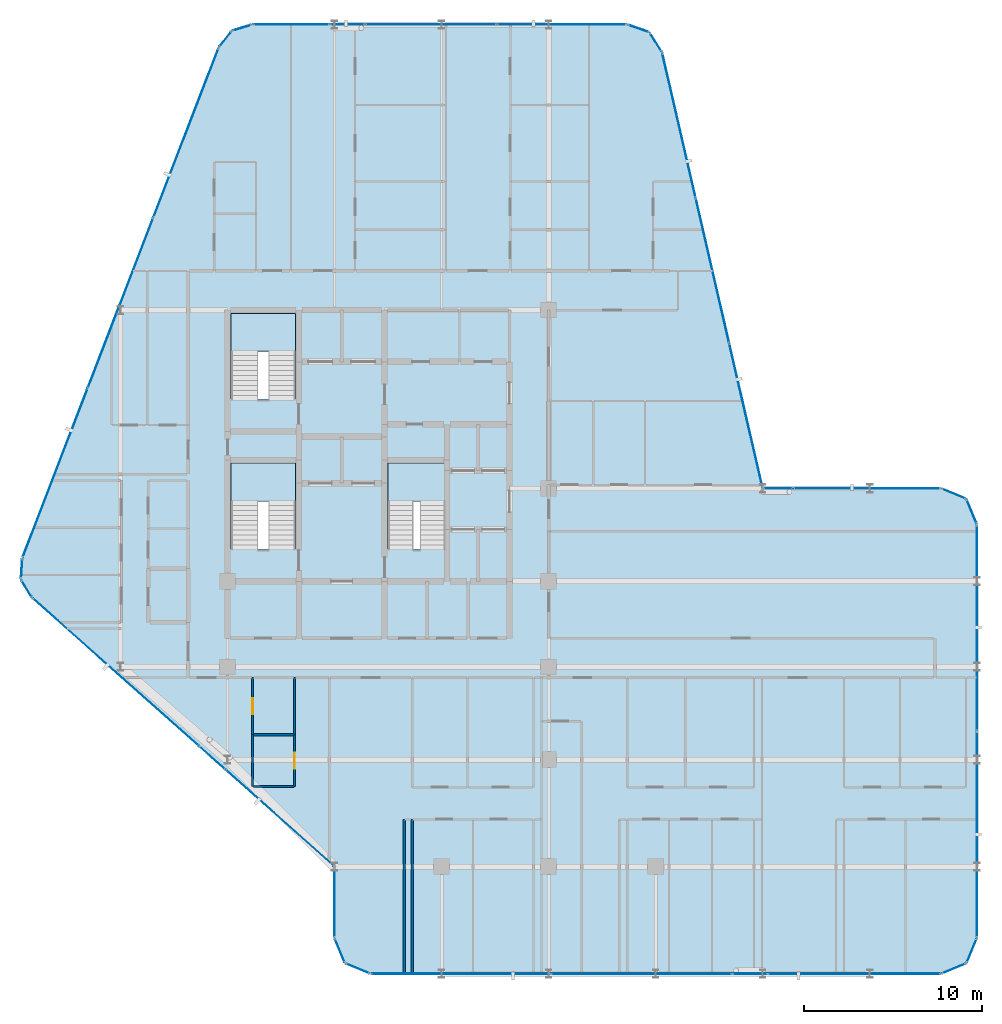
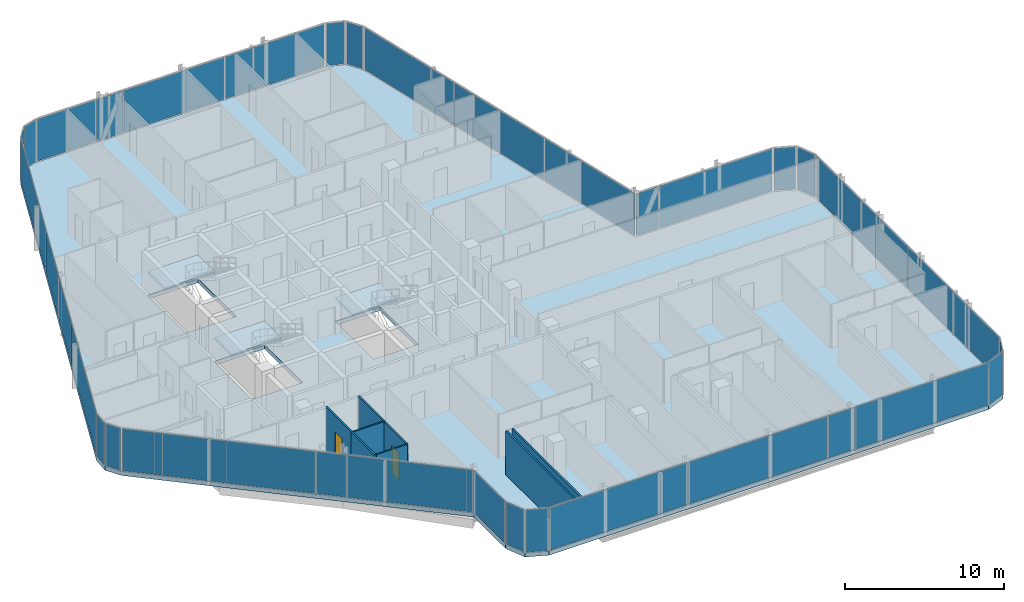
# One storey, part 22 of 29: 34 plates, 8 walls, 4 slabs, 2 doors, 2 openings, 30 elements without a shape of their own.
"""IFC4 building model written with IfcOpenShell, lengths in metres."""

from ifc_helpers import new_model, si_unit, direction, frame, frame_2d, origin, origin_2d, place, context, subcontext, project, spatial, polyline, rectangle, outline, extrude, material, layer, layer_set, type_object, element, fill, aggregate, save


model = new_model("IFC4")

# Units and contexts
model_context = context("Model", 3, precision=1e-05, world=origin(), true_north=direction((0.0, 1.0)))
body_context = subcontext(model_context, "Body", "Model", "MODEL_VIEW")
ifc_project = project(units=[si_unit("LENGTHUNIT", "METRE"), si_unit("AREAUNIT", "SQUARE_METRE"), si_unit("VOLUMEUNIT", "CUBIC_METRE"), si_unit("PLANEANGLEUNIT", "RADIAN"), si_unit("MASSUNIT", "GRAM", prefix="KILO")], contexts=[model_context])

# Site, building, storey
site_placement = place(None, origin())
site = spatial("IfcSite", under=ifc_project, at=site_placement, CompositionType="ELEMENT")
building_placement = place(site_placement, origin())
building = spatial("IfcBuilding", under=site, at=building_placement, Name="Keshet Zoharim Tower", CompositionType="ELEMENT")
storey_placement = place(building_placement, frame((0.0, 0.0, 180.199951171875)))
storey = spatial("IfcBuildingStorey", under=building, at=storey_placement, Name="L44", CompositionType="ELEMENT", Elevation=180.199951171875)

# Curtain wall, plate
ifc_material_1 = material(Name="Aluminium 6063-T6", Category="aluminium")
ifc_layer_1 = layer(ifc_material_1, 0.139892578125)
ifc_layer_set_1 = layer_set([ifc_layer_1], Name="Aluminium 6063-T6")
curtain_wall_type = type_object("IfcCurtainWallType", Name="CW-SYS-05", PredefinedType="NOTDEFINED", material=ifc_layer_set_1)
curtain_wall_1_placement = place(storey_placement, origin())
curtain_wall_1 = element("IfcCurtainWall", 1, at=curtain_wall_1_placement, inside=storey, type_object=curtain_wall_type, Name="L44 Unitised Curtain Wall 01", PredefinedType="NOTDEFINED")
ifc_material_2 = material(Name="Insulated Low-E Clear Glass", Category="glass")
ifc_layer_2 = layer(ifc_material_2, 0.031982421875)
ifc_layer_set_2 = layer_set([ifc_layer_2], Name="Insulated Low-E Clear Glass")
plate_type_1 = type_object("IfcPlateType", Name="CWP-02", PredefinedType="CURTAIN_PANEL", material=ifc_layer_set_2)
plate_1_placement = place(storey_placement, frame((55.70703125, 27.60693359375, 0.06982421875), z_axis=(0.0, 0.0, 1.0), x_axis=(0.92380975372, -0.382851849847, 0.0)))
plate_1 = element("IfcPlate", 2, at=plate_1_placement, type_object=plate_type_1, Name="CW-05 panel 1.1", PredefinedType="CURTAIN_PANEL", context=body_context, shape_type="SweptSolid", body=[
    extrude(rectangle(XDim=1.390625, YDim=0.031982421875, at=origin_2d()), origin(), (0.0, 0.0, 1.0), 3.239990234375),
])
aggregate(curtain_wall_1, [plate_1])

curtain_wall_2_placement = place(storey_placement, origin())
curtain_wall_2 = element("IfcCurtainWall", 3, at=curtain_wall_2_placement, inside=storey, type_object=curtain_wall_type, Name="L44 Unitised Curtain Wall 02", PredefinedType="NOTDEFINED")
plate_2_placement = place(storey_placement, frame((56.70703125, 26.60693359375, 0.06982421875), z_axis=(0.0, 0.0, 1.0), x_axis=(0.382851849847, -0.92380975372, 0.0)))
plate_2 = element("IfcPlate", 4, at=plate_2_placement, type_object=plate_type_1, Name="CW-05 panel 1.1", PredefinedType="CURTAIN_PANEL", context=body_context, shape_type="SweptSolid", body=[
    extrude(rectangle(XDim=1.390625, YDim=0.031982421875, at=origin_2d()), origin(), (0.0, 0.0, 1.0), 3.239990234375),
])
aggregate(curtain_wall_2, [plate_2])

# Curtain wall, plates
curtain_wall_3_placement = place(storey_placement, origin())
curtain_wall_3 = element("IfcCurtainWall", 5, at=curtain_wall_3_placement, inside=storey, type_object=curtain_wall_type, Name="L44 Unitised Curtain Wall 03", PredefinedType="NOTDEFINED")
plate_3_placement = place(storey_placement, frame((57.0, 20.08251953125, 0.06982421875), z_axis=(0.0, 0.0, 1.0), x_axis=(0.0, -1.0, 0.0)))
plate_3 = element("IfcPlate", 6, at=plate_3_placement, type_object=plate_type_1, Name="CW-05 panel 1.1", PredefinedType="CURTAIN_PANEL", context=body_context, shape_type="SweptSolid", body=[
    extrude(rectangle(XDim=11.4951171875, YDim=0.031982421875, at=origin_2d()), origin(), (0.0, 0.0, 1.0), 3.239990234375),
])
plate_4_placement = place(storey_placement, frame((57.0, 8.517578125, 0.06982421875), z_axis=(0.0, 0.0, 1.0), x_axis=(0.0, -1.0, 0.0)))
plate_4 = element("IfcPlate", 7, at=plate_4_placement, type_object=plate_type_1, Name="CW-05 panel 2.1", PredefinedType="CURTAIN_PANEL", context=body_context, shape_type="SweptSolid", body=[
    extrude(rectangle(XDim=11.4951171875, YDim=0.031982421875, at=origin_2d()), origin(), (0.0, 0.0, 1.0), 3.239990234375),
])
aggregate(curtain_wall_3, [plate_3, plate_4])

# Curtain wall, plate
curtain_wall_4_placement = place(storey_placement, origin())
curtain_wall_4 = element("IfcCurtainWall", 8, at=curtain_wall_4_placement, inside=storey, type_object=curtain_wall_type, Name="L44 Unitised Curtain Wall 04", PredefinedType="NOTDEFINED")
plate_5_placement = place(storey_placement, frame((56.70703125, 1.992919921875, 0.06982421875), z_axis=(0.0, 0.0, 1.0), x_axis=(-0.382851849847, -0.92380975372, 0.0)))
plate_5 = element("IfcPlate", 9, at=plate_5_placement, type_object=plate_type_1, Name="CW-05 panel 1.1", PredefinedType="CURTAIN_PANEL", context=body_context, shape_type="SweptSolid", body=[
    extrude(rectangle(XDim=1.390625, YDim=0.031982421875, at=origin_2d()), origin(), (0.0, 0.0, 1.0), 3.239990234375),
])
aggregate(curtain_wall_4, [plate_5])

curtain_wall_5_placement = place(storey_placement, origin())
curtain_wall_5 = element("IfcCurtainWall", 10, at=curtain_wall_5_placement, inside=storey, type_object=curtain_wall_type, Name="L44 Unitised Curtain Wall 05", PredefinedType="NOTDEFINED")
plate_6_placement = place(storey_placement, frame((55.70703125, 0.992919921875, 0.06982421875), z_axis=(0.0, 0.0, 1.0), x_axis=(-0.92380975372, -0.382851849847, 0.0)))
plate_6 = element("IfcPlate", 11, at=plate_6_placement, type_object=plate_type_1, Name="CW-05 panel 1.1", PredefinedType="CURTAIN_PANEL", context=body_context, shape_type="SweptSolid", body=[
    extrude(rectangle(XDim=1.390625, YDim=0.031982421875, at=origin_2d()), origin(), (0.0, 0.0, 1.0), 3.239990234375),
])
aggregate(curtain_wall_5, [plate_6])

curtain_wall_6_placement = place(storey_placement, origin())
curtain_wall_6 = element("IfcCurtainWall", 12, at=curtain_wall_6_placement, inside=storey, type_object=curtain_wall_type, Name="L44 Unitised Curtain Wall 06", PredefinedType="NOTDEFINED")
plate_7_placement = place(storey_placement, frame((50.1240234375, 0.699951171875, 0.06982421875), z_axis=(0.0, 0.0, 1.0), x_axis=(-1.0, 0.0, 0.0)))
plate_7 = element("IfcPlate", 13, at=plate_7_placement, type_object=plate_type_1, Name="CW-05 panel 1.1", PredefinedType="CURTAIN_PANEL", context=body_context, shape_type="SweptSolid", body=[
    extrude(rectangle(XDim=9.612060546875, YDim=0.031982421875, at=origin_2d()), origin(), (0.0, 0.0, 1.0), 3.239990234375),
])
aggregate(curtain_wall_6, [plate_7])

# Curtain wall, plates
curtain_wall_7_placement = place(storey_placement, origin())
curtain_wall_7 = element("IfcCurtainWall", 14, at=curtain_wall_7_placement, inside=storey, type_object=curtain_wall_type, Name="L44 Unitised Curtain Wall 06 Part 3", PredefinedType="NOTDEFINED")
plate_8_placement = place(storey_placement, frame((38.20654296875, 0.699951171875, 0.06982421875), z_axis=(0.0, 0.0, 1.0), x_axis=(-1.0, 0.0, 0.0)))
plate_8 = element("IfcPlate", 15, at=plate_8_placement, type_object=plate_type_1, Name="CW-05 panel 1.1", PredefinedType="CURTAIN_PANEL", context=body_context, shape_type="SweptSolid", body=[
    extrude(rectangle(XDim=10.091064453125, YDim=0.031982421875, at=origin_2d()), origin(), (0.0, 0.0, 1.0), 3.239990234375),
])
plate_9_placement = place(storey_placement, frame((28.08056640625, 0.699951171875, 0.06982421875), z_axis=(0.0, 0.0, 1.0), x_axis=(-1.0, 0.0, 0.0)))
plate_9 = element("IfcPlate", 16, at=plate_9_placement, type_object=plate_type_1, Name="CW-05 panel 2.1", PredefinedType="CURTAIN_PANEL", context=body_context, shape_type="SweptSolid", body=[
    extrude(rectangle(XDim=10.02099609375, YDim=0.031982421875, at=origin_2d()), origin(), (0.0, 0.0, 1.0), 3.239990234375),
])
aggregate(curtain_wall_7, [plate_8, plate_9])

# Curtain wall, plate
curtain_wall_8_placement = place(storey_placement, origin())
curtain_wall_8 = element("IfcCurtainWall", 17, at=curtain_wall_8_placement, inside=storey, type_object=curtain_wall_type, Name="L44 Unitised Curtain Wall 07", PredefinedType="NOTDEFINED")
plate_10_placement = place(storey_placement, frame((22.29296875, 0.992919921875, 0.06982421875), z_axis=(0.0, 0.0, 1.0), x_axis=(-0.92380975372, 0.382851849847, 0.0)))
plate_10 = element("IfcPlate", 18, at=plate_10_placement, type_object=plate_type_1, Name="CW-05 panel 1.1", PredefinedType="CURTAIN_PANEL", context=body_context, shape_type="SweptSolid", body=[
    extrude(rectangle(XDim=1.390625, YDim=0.031982421875, at=origin_2d()), origin(), (0.0, 0.0, 1.0), 3.239990234375),
])
aggregate(curtain_wall_8, [plate_10])

curtain_wall_9_placement = place(storey_placement, origin())
curtain_wall_9 = element("IfcCurtainWall", 19, at=curtain_wall_9_placement, inside=storey, type_object=curtain_wall_type, Name="L44 Unitised Curtain Wall 08", PredefinedType="NOTDEFINED")
plate_11_placement = place(storey_placement, frame((21.29296875, 1.992919921875, 0.06982421875), z_axis=(0.0, 0.0, 1.0), x_axis=(-0.382851849847, 0.92380975372, 0.0)))
plate_11 = element("IfcPlate", 20, at=plate_11_placement, type_object=plate_type_1, Name="CW-05 panel 1.1", PredefinedType="CURTAIN_PANEL", context=body_context, shape_type="SweptSolid", body=[
    extrude(rectangle(XDim=1.390625, YDim=0.031982421875, at=origin_2d()), origin(), (0.0, 0.0, 1.0), 3.239990234375),
])
aggregate(curtain_wall_9, [plate_11])

curtain_wall_10_placement = place(storey_placement, origin())
curtain_wall_10 = element("IfcCurtainWall", 21, at=curtain_wall_10_placement, inside=storey, type_object=curtain_wall_type, Name="L44 Unitised Curtain Wall 09", PredefinedType="NOTDEFINED")
plate_12_placement = place(storey_placement, frame((21.0, 4.699951171875, 0.06982421875), z_axis=(0.0, 0.0, 1.0), x_axis=(0.0, 1.0, 0.0)))
plate_12 = element("IfcPlate", 22, at=plate_12_placement, type_object=plate_type_1, Name="CW-05 panel 1.1", PredefinedType="CURTAIN_PANEL", context=body_context, shape_type="SweptSolid", body=[
    extrude(rectangle(XDim=3.860107421875, YDim=0.031982421875, at=origin_2d()), origin(), (0.0, 0.0, 1.0), 3.239990234375),
])
aggregate(curtain_wall_10, [plate_12])

curtain_wall_11_placement = place(storey_placement, origin())
curtain_wall_11 = element("IfcCurtainWall", 23, at=curtain_wall_11_placement, inside=storey, type_object=curtain_wall_type, Name="L44 Unitised Curtain Wall 10", PredefinedType="NOTDEFINED")
plate_13_placement = place(storey_placement, frame((17.927001953125, 9.431396484375, 0.06982421875), z_axis=(0.0, 0.0, 1.0), x_axis=(-0.747411331591, 0.664361574302, 0.0)))
plate_13 = element("IfcPlate", 24, at=plate_13_placement, type_object=plate_type_1, Name="CW-05 panel 1.1", PredefinedType="CURTAIN_PANEL", context=body_context, shape_type="SweptSolid", body=[
    extrude(rectangle(XDim=8.082763671875, YDim=0.031982421875, at=origin_2d()), origin(), (0.0, 0.0, 1.0), 3.239990234375),
])
aggregate(curtain_wall_11, [plate_13])

curtain_wall_12_placement = place(storey_placement, origin())
curtain_wall_12 = element("IfcCurtainWall", 25, at=curtain_wall_12_placement, inside=storey, type_object=curtain_wall_type, Name="L44 Unitised Curtain Wall 10 Part 3", PredefinedType="NOTDEFINED")
plate_14_placement = place(storey_placement, frame((8.724853515625, 17.611328125, 0.06982421875), z_axis=(0.0, 0.0, 1.0), x_axis=(-0.74741020288, 0.664362844107, 0.0)))
plate_14 = element("IfcPlate", 26, at=plate_14_placement, type_object=plate_type_1, Name="CW-05 panel 1.1", PredefinedType="CURTAIN_PANEL", context=body_context, shape_type="SweptSolid", body=[
    extrude(rectangle(XDim=12.40966796875, YDim=0.031982421875, at=origin_2d()), origin(), (0.0, 0.0, 1.0), 3.239990234375),
])
aggregate(curtain_wall_12, [plate_14])

curtain_wall_13_placement = place(storey_placement, origin())
curtain_wall_13 = element("IfcCurtainWall", 27, at=curtain_wall_13_placement, inside=storey, type_object=curtain_wall_type, Name="L44 Unitised Curtain Wall 11", PredefinedType="NOTDEFINED")
plate_15_placement = place(storey_placement, frame((3.7275390625, 22.291015625, 0.06982421875), z_axis=(0.0, 0.0, 1.0), x_axis=(-0.515604947933, 0.856826433805, 0.0)))
plate_15 = element("IfcPlate", 28, at=plate_15_placement, type_object=plate_type_1, Name="CW-05 panel 1.1", PredefinedType="CURTAIN_PANEL", context=body_context, shape_type="SweptSolid", body=[
    extrude(rectangle(XDim=1.052734375, YDim=0.031982421875, at=origin_2d()), origin(), (0.0, 0.0, 1.0), 3.239990234375),
])
aggregate(curtain_wall_13, [plate_15])

curtain_wall_14_placement = place(storey_placement, origin())
curtain_wall_14 = element("IfcCurtainWall", 29, at=curtain_wall_14_placement, inside=storey, type_object=curtain_wall_type, Name="L44 Unitised Curtain Wall 12", PredefinedType="NOTDEFINED")
plate_16_placement = place(storey_placement, frame((3.45849609375, 23.3974609375, 0.06982421875), z_axis=(0.0, 0.0, 1.0), x_axis=(0.064516859374, 0.997916617186, 0.0)))
plate_16 = element("IfcPlate", 30, at=plate_16_placement, type_object=plate_type_1, Name="CW-05 panel 1.1", PredefinedType="CURTAIN_PANEL", context=body_context, shape_type="SweptSolid", body=[
    extrude(rectangle(XDim=1.053466796875, YDim=0.031982421875, at=origin_2d()), origin(), (0.0, 0.0, 1.0), 3.239990234375),
])
aggregate(curtain_wall_14, [plate_16])

# Curtain wall, plates
curtain_wall_15_placement = place(storey_placement, origin())
curtain_wall_15 = element("IfcCurtainWall", 31, at=curtain_wall_15_placement, inside=storey, type_object=curtain_wall_type, Name="L44 Unitised Curtain Wall 13", PredefinedType="NOTDEFINED")
plate_17_placement = place(storey_placement, frame((5.33837890625, 28.7802734375, 0.06982421875), z_axis=(0.0, 0.0, 1.0), x_axis=(0.358990003907, 0.933341404361, 0.0)))
plate_17 = element("IfcPlate", 32, at=plate_17_placement, type_object=plate_type_1, Name="CW-05 panel 1.1", PredefinedType="CURTAIN_PANEL", context=body_context, shape_type="SweptSolid", body=[
    extrude(rectangle(XDim=10.1181640625, YDim=0.031982421875, at=origin_2d()), origin(), (0.0, 0.0, 1.0), 3.239990234375),
])
plate_18_placement = place(storey_placement, frame((9.001953125, 38.305419921875, 0.06982421875), z_axis=(0.0, 0.0, 1.0), x_axis=(0.358990003907, 0.933341404361, 0.0)))
plate_18 = element("IfcPlate", 33, at=plate_18_placement, type_object=plate_type_1, Name="CW-05 panel 2.1", PredefinedType="CURTAIN_PANEL", context=body_context, shape_type="SweptSolid", body=[
    extrude(rectangle(XDim=10.153076171875, YDim=0.031982421875, at=origin_2d()), origin(), (0.0, 0.0, 1.0), 3.239990234375),
])
plate_19_placement = place(storey_placement, frame((12.665771484375, 47.830810546875, 0.06982421875), z_axis=(0.0, 0.0, 1.0), x_axis=(0.358990003907, 0.933341404361, 0.0)))
plate_19 = element("IfcPlate", 34, at=plate_19_placement, type_object=plate_type_1, Name="CW-05 panel 3.1", PredefinedType="CURTAIN_PANEL", context=body_context, shape_type="SweptSolid", body=[
    extrude(rectangle(XDim=10.1181640625, YDim=0.031982421875, at=origin_2d()), origin(), (0.0, 0.0, 1.0), 3.239990234375),
])
aggregate(curtain_wall_15, [plate_17, plate_18, plate_19])

# Curtain wall, plate
curtain_wall_16_placement = place(storey_placement, origin())
curtain_wall_16 = element("IfcCurtainWall", 35, at=curtain_wall_16_placement, inside=storey, type_object=curtain_wall_type, Name="L44 Unitised Curtain Wall 14", PredefinedType="NOTDEFINED")
plate_20_placement = place(storey_placement, frame((14.8740234375, 53.08349609375, 0.06982421875), z_axis=(0.0, 0.0, 1.0), x_axis=(0.619124525989, 0.785292825205, 0.0)))
plate_20 = element("IfcPlate", 36, at=plate_20_placement, type_object=plate_type_1, Name="CW-05 panel 1.1", PredefinedType="CURTAIN_PANEL", context=body_context, shape_type="SweptSolid", body=[
    extrude(rectangle(XDim=1.045654296875, YDim=0.031982421875, at=origin_2d()), origin(), (0.0, 0.0, 1.0), 3.239990234375),
])
aggregate(curtain_wall_16, [plate_20])

curtain_wall_17_placement = place(storey_placement, origin())
curtain_wall_17 = element("IfcCurtainWall", 37, at=curtain_wall_17_placement, inside=storey, type_object=curtain_wall_type, Name="L44 Unitised Curtain Wall 15", PredefinedType="NOTDEFINED")
plate_21_placement = place(storey_placement, frame((15.8076171875, 53.724609375, 0.06982421875), z_axis=(0.0, 0.0, 1.0), x_axis=(0.955212151288, 0.295921857984, 0.0)))
plate_21 = element("IfcPlate", 38, at=plate_21_placement, type_object=plate_type_1, Name="CW-05 panel 1.1", PredefinedType="CURTAIN_PANEL", context=body_context, shape_type="SweptSolid", body=[
    extrude(rectangle(XDim=1.046142578125, YDim=0.031982421875, at=origin_2d()), origin(), (0.0, 0.0, 1.0), 3.239990234375),
])
aggregate(curtain_wall_17, [plate_21])

curtain_wall_18_placement = place(storey_placement, origin())
curtain_wall_18 = element("IfcCurtainWall", 39, at=curtain_wall_18_placement, inside=storey, type_object=curtain_wall_type, Name="L44 Unitised Curtain Wall 16", PredefinedType="NOTDEFINED")
plate_22_placement = place(storey_placement, frame((18.56298828125, 53.89990234375, 0.06982421875), z_axis=(0.0, 0.0, 1.0), x_axis=(1.0, 0.0, 0.0)))
plate_22 = element("IfcPlate", 40, at=plate_22_placement, type_object=plate_type_1, Name="CW-05 panel 1.1", PredefinedType="CURTAIN_PANEL", context=body_context, shape_type="SweptSolid", body=[
    extrude(rectangle(XDim=4.238037109375, YDim=0.031982421875, at=origin_2d()), origin(), (0.0, 0.0, 1.0), 3.239990234375),
])
aggregate(curtain_wall_18, [plate_22])

# Curtain wall, plates
curtain_wall_19_placement = place(storey_placement, origin())
curtain_wall_19 = element("IfcCurtainWall", 41, at=curtain_wall_19_placement, inside=storey, type_object=curtain_wall_type, Name="L44 Unitised Curtain Wall 16 Part 3", PredefinedType="NOTDEFINED")
plate_23_placement = place(storey_placement, frame((26.395751953125, 53.89990234375, 0.06982421875), z_axis=(0.0, 0.0, 1.0), x_axis=(1.0, 0.0, 0.0)))
plate_23 = element("IfcPlate", 42, at=plate_23_placement, type_object=plate_type_1, Name="CW-05 panel 1.1", PredefinedType="CURTAIN_PANEL", context=body_context, shape_type="SweptSolid", body=[
    extrude(rectangle(XDim=7.29541015625, YDim=0.031982421875, at=origin_2d()), origin(), (0.0, 0.0, 1.0), 3.239990234375),
])
plate_24_placement = place(storey_placement, frame((33.726318359375, 53.89990234375, 0.06982421875), z_axis=(0.0, 0.0, 1.0), x_axis=(1.0, 0.0, 0.0)))
plate_24 = element("IfcPlate", 43, at=plate_24_placement, type_object=plate_type_1, Name="CW-05 panel 2.1", PredefinedType="CURTAIN_PANEL", context=body_context, shape_type="SweptSolid", body=[
    extrude(rectangle(XDim=7.2255859375, YDim=0.031982421875, at=origin_2d()), origin(), (0.0, 0.0, 1.0), 3.239990234375),
])
aggregate(curtain_wall_19, [plate_23, plate_24])

# Curtain wall, plate
curtain_wall_20_placement = place(storey_placement, origin())
curtain_wall_20 = element("IfcCurtainWall", 44, at=curtain_wall_20_placement, inside=storey, type_object=curtain_wall_type, Name="L44 Unitised Curtain Wall 17", PredefinedType="NOTDEFINED")
plate_25_placement = place(storey_placement, frame((38.031494140625, 53.6826171875, 0.06982421875), z_axis=(0.0, 0.0, 1.0), x_axis=(0.944035542119, -0.329843743636, 0.0)))
plate_25 = element("IfcPlate", 45, at=plate_25_placement, type_object=plate_type_1, Name="CW-05 panel 1.1", PredefinedType="CURTAIN_PANEL", context=body_context, shape_type="SweptSolid", body=[
    extrude(rectangle(XDim=1.1787109375, YDim=0.031982421875, at=origin_2d()), origin(), (0.0, 0.0, 1.0), 3.239990234375),
])
aggregate(curtain_wall_20, [plate_25])

curtain_wall_21_placement = place(storey_placement, origin())
curtain_wall_21 = element("IfcCurtainWall", 46, at=curtain_wall_21_placement, inside=storey, type_object=curtain_wall_type, Name="L44 Unitised Curtain Wall 18", PredefinedType="NOTDEFINED")
plate_26_placement = place(storey_placement, frame((39.006103515625, 52.907470703125, 0.06982421875), z_axis=(0.0, 0.0, 1.0), x_axis=(0.533878858502, -0.845560976183, 0.0)))
plate_26 = element("IfcPlate", 47, at=plate_26_placement, type_object=plate_type_1, Name="CW-05 panel 1.1", PredefinedType="CURTAIN_PANEL", context=body_context, shape_type="SweptSolid", body=[
    extrude(rectangle(XDim=1.1787109375, YDim=0.031982421875, at=origin_2d()), origin(), (0.0, 0.0, 1.0), 3.239990234375),
])
aggregate(curtain_wall_21, [plate_26])

# Curtain wall, plates
curtain_wall_22_placement = place(storey_placement, origin())
curtain_wall_22 = element("IfcCurtainWall", 48, at=curtain_wall_22_placement, inside=storey, type_object=curtain_wall_type, Name="L44 Unitised Curtain Wall 19", PredefinedType="NOTDEFINED")
plate_27_placement = place(storey_placement, frame((40.30224609375, 48.258056640625, 0.06982421875), z_axis=(0.0, 0.0, 1.0), x_axis=(0.224847864369, -0.974393882313, 0.0)))
plate_27 = element("IfcPlate", 49, at=plate_27_placement, type_object=plate_type_1, Name="CW-05 panel 1.1", PredefinedType="CURTAIN_PANEL", context=body_context, shape_type="SweptSolid", body=[
    extrude(rectangle(XDim=8.25927734375, YDim=0.031982421875, at=origin_2d()), origin(), (0.0, 0.0, 1.0), 3.239990234375),
])
plate_28_placement = place(storey_placement, frame((42.178955078125, 40.125, 0.06982421875), z_axis=(0.0, 0.0, 1.0), x_axis=(0.224847864369, -0.974393882313, 0.0)))
plate_28 = element("IfcPlate", 50, at=plate_28_placement, type_object=plate_type_1, Name="CW-05 panel 2.1", PredefinedType="CURTAIN_PANEL", context=body_context, shape_type="SweptSolid", body=[
    extrude(rectangle(XDim=8.294189453125, YDim=0.031982421875, at=origin_2d()), origin(), (0.0, 0.0, 1.0), 3.239990234375),
])
plate_29_placement = place(storey_placement, frame((44.0556640625, 31.991943359375, 0.06982421875), z_axis=(0.0, 0.0, 1.0), x_axis=(0.224847864369, -0.974393882313, 0.0)))
plate_29 = element("IfcPlate", 51, at=plate_29_placement, type_object=plate_type_1, Name="CW-05 panel 3.1", PredefinedType="CURTAIN_PANEL", context=body_context, shape_type="SweptSolid", body=[
    extrude(rectangle(XDim=8.25927734375, YDim=0.031982421875, at=origin_2d()), origin(), (0.0, 0.0, 1.0), 3.239990234375),
])
aggregate(curtain_wall_22, [plate_27, plate_28, plate_29])

# Curtain wall, plate
curtain_wall_23_placement = place(storey_placement, origin())
curtain_wall_23 = element("IfcCurtainWall", 52, at=curtain_wall_23_placement, inside=storey, type_object=curtain_wall_type, Name="L44 Unitised Curtain Wall 20 Part 2", PredefinedType="NOTDEFINED")
plate_30_placement = place(storey_placement, frame((50.839111328125, 27.89990234375, 0.06982421875), z_axis=(0.0, 0.0, 1.0), x_axis=(1.0, 0.0, 0.0)))
plate_30 = element("IfcPlate", 53, at=plate_30_placement, type_object=plate_type_1, Name="CW-05 panel 1.1", PredefinedType="CURTAIN_PANEL", context=body_context, shape_type="SweptSolid", body=[
    extrude(rectangle(XDim=8.181884765625, YDim=0.031982421875, at=origin_2d()), origin(), (0.0, 0.0, 1.0), 3.239990234375),
])
aggregate(curtain_wall_23, [plate_30])

curtain_wall_24_placement = place(storey_placement, origin())
curtain_wall_24 = element("IfcCurtainWall", 54, at=curtain_wall_24_placement, inside=storey, type_object=curtain_wall_type, Name="L44 Unitised Curtain Wall 06 Part 2", PredefinedType="NOTDEFINED")
ifc_material_3 = material(Name="Insulated Aluminium Spandrel Panel", Category="aluminium")
ifc_layer_3 = layer(ifc_material_3, 0.031982421875)
ifc_layer_set_3 = layer_set([ifc_layer_3], Name="Insulated Aluminium Spandrel Panel")
plate_type_2 = type_object("IfcPlateType", Name="CWP-05", PredefinedType="CURTAIN_PANEL", material=ifc_layer_set_3)
plate_31_placement = place(storey_placement, frame((44.284912109375, 0.699951171875, 0.06982421875), z_axis=(0.0, 0.0, 1.0), x_axis=(-1.0, 0.0, 0.0)))
plate_31 = element("IfcPlate", 55, at=plate_31_placement, type_object=plate_type_2, Name="CW-05 spandrel panel 1.1", PredefinedType="CURTAIN_PANEL", context=body_context, shape_type="SweptSolid", body=[
    extrude(rectangle(XDim=1.926025390625, YDim=0.031982421875, at=origin_2d()), origin(), (0.0, 0.0, 1.0), 3.239990234375),
])
aggregate(curtain_wall_24, [plate_31])

curtain_wall_25_placement = place(storey_placement, origin())
curtain_wall_25 = element("IfcCurtainWall", 56, at=curtain_wall_25_placement, inside=storey, type_object=curtain_wall_type, Name="L44 Unitised Curtain Wall 10 Part 2", PredefinedType="NOTDEFINED")
plate_32_placement = place(storey_placement, frame((14.134521484375, 12.802734375, 0.06982421875), z_axis=(0.0, 0.0, 1.0), x_axis=(-0.747395497769, 0.664379387033, 0.0)))
plate_32 = element("IfcPlate", 57, at=plate_32_placement, type_object=plate_type_2, Name="CW-05 spandrel panel 1.1", PredefinedType="CURTAIN_PANEL", context=body_context, shape_type="SweptSolid", body=[
    extrude(rectangle(XDim=1.926025390625, YDim=0.031982421875, at=origin_2d()), origin(), (0.0, 0.0, 1.0), 3.239990234375),
])
aggregate(curtain_wall_25, [plate_32])

curtain_wall_26_placement = place(storey_placement, origin())
curtain_wall_26 = element("IfcCurtainWall", 58, at=curtain_wall_26_placement, inside=storey, type_object=curtain_wall_type, Name="L44 Unitised Curtain Wall 16 Part 2", PredefinedType="NOTDEFINED")
plate_33_placement = place(storey_placement, frame((21.715087890625, 53.89990234375, 0.06982421875), z_axis=(0.0, 0.0, 1.0), x_axis=(1.0, 0.0, 0.0)))
plate_33 = element("IfcPlate", 59, at=plate_33_placement, type_object=plate_type_2, Name="CW-05 spandrel panel 1.1", PredefinedType="CURTAIN_PANEL", context=body_context, shape_type="SweptSolid", body=[
    extrude(rectangle(XDim=1.926025390625, YDim=0.031982421875, at=origin_2d()), origin(), (0.0, 0.0, 1.0), 3.239990234375),
])
aggregate(curtain_wall_26, [plate_33])

curtain_wall_27_placement = place(storey_placement, origin())
curtain_wall_27 = element("IfcCurtainWall", 60, at=curtain_wall_27_placement, inside=storey, type_object=curtain_wall_type, Name="L44 Unitised Curtain Wall 20", PredefinedType="NOTDEFINED")
plate_34_placement = place(storey_placement, frame((45.8740234375, 27.89990234375, 0.06982421875), z_axis=(0.0, 0.0, 1.0), x_axis=(1.0, 0.0, 0.0)))
plate_34 = element("IfcPlate", 61, at=plate_34_placement, type_object=plate_type_2, Name="CW-05 spandrel panel 1.1", PredefinedType="CURTAIN_PANEL", context=body_context, shape_type="SweptSolid", body=[
    extrude(rectangle(XDim=1.60791015625, YDim=0.031982421875, at=origin_2d()), origin(), (0.0, 0.0, 1.0), 3.239990234375),
])
aggregate(curtain_wall_27, [plate_34])

# Stair, slab
ifc_material_4 = material(Name="Concrete C50/60", Category="concrete")
stair_type = type_object("IfcStairType", Name="STR-EXIT-135", PredefinedType="HALF_TURN_STAIR", material=ifc_material_4)
stair_1_placement = place(storey_placement, origin())
stair_1 = element("IfcStair", 62, at=stair_1_placement, inside=storey, type_object=stair_type, Name="L44 Enclosed Exit Stair ST-01", PredefinedType="HALF_TURN_STAIR")
ifc_layer_4 = layer(ifc_material_4, 0.199951171875)
ifc_layer_set_4 = layer_set([ifc_layer_4], Name="Concrete C50/60")
slab_type_1 = type_object("IfcSlabType", Name="SLB-LND-200", PredefinedType="LANDING", material=ifc_layer_set_4)
slab_1_placement = place(storey_placement, frame((0.0, 0.0, 1.650146484375)))
slab_1 = element("IfcSlab", 63, at=slab_1_placement, type_object=slab_type_1, Name="ST-01 landing 1", PredefinedType="LANDING", context=body_context, shape_type="SweptSolid", body=[
    extrude(outline(polyline([(15.179931640625, 27.159912109375), (18.820068359375, 27.159912109375), (18.820068359375, 29.320068359375), (15.179931640625, 29.320068359375), (15.179931640625, 27.159912109375)])), origin(), (0.0, 0.0, 1.0), 0.199951171875),
])
aggregate(stair_1, [slab_1])

stair_2_placement = place(storey_placement, origin())
stair_2 = element("IfcStair", 64, at=stair_2_placement, inside=storey, type_object=stair_type, Name="L44 Enclosed Exit Stair ST-02", PredefinedType="HALF_TURN_STAIR")
slab_2_placement = place(storey_placement, frame((0.0, 0.0, 1.650146484375)))
slab_2 = element("IfcSlab", 65, at=slab_2_placement, type_object=slab_type_1, Name="ST-02 landing 1", PredefinedType="LANDING", context=body_context, shape_type="SweptSolid", body=[
    extrude(outline(polyline([(15.179931640625, 35.56005859375), (18.820068359375, 35.56005859375), (18.820068359375, 37.719970703125), (15.179931640625, 37.719970703125), (15.179931640625, 35.56005859375)])), origin(), (0.0, 0.0, 1.0), 0.199951171875),
])
aggregate(stair_2, [slab_2])

stair_3_placement = place(storey_placement, origin())
stair_3 = element("IfcStair", 66, at=stair_3_placement, inside=storey, type_object=stair_type, Name="L44 Enclosed Exit Stair ST-03", PredefinedType="HALF_TURN_STAIR")
slab_3_placement = place(storey_placement, frame((0.0, 0.0, 1.650146484375)))
slab_3 = element("IfcSlab", 67, at=slab_3_placement, type_object=slab_type_1, Name="ST-03 landing 1", PredefinedType="LANDING", context=body_context, shape_type="SweptSolid", body=[
    extrude(outline(polyline([(23.97998046875, 27.159912109375), (27.219970703125, 27.159912109375), (27.219970703125, 29.320068359375), (23.97998046875, 29.320068359375), (23.97998046875, 27.159912109375)])), origin(), (0.0, 0.0, 1.0), 0.199951171875),
])
aggregate(stair_3, [slab_3])

# Slab
ifc_layer_5 = layer(ifc_material_4, 0.31005859375)
ifc_layer_set_5 = layer_set([ifc_layer_5], Name="Concrete C50/60")
slab_type_2 = type_object("IfcSlabType", Name="SLB-UPP-240", PredefinedType="FLOOR", material=ifc_layer_set_5)
slab_4_placement = place(storey_placement, frame((0.0, 0.0, -0.31005859375)))
element("IfcSlab", 68, at=slab_4_placement, inside=storey, type_object=slab_type_2, Name="L44 Structural Floor Slab 1", PredefinedType="FLOOR", context=body_context, shape_type="SweptSolid", body=[
    extrude(outline(polyline([(55.0, 27.89990234375), (56.4140625, 27.31396484375), (57.0, 25.89990234375), (57.0, 2.699951171875), (56.4140625, 1.285888671875), (55.0, 0.699951171875), (23.0, 0.699951171875), (21.5859375, 1.285888671875), (21.0, 2.699951171875), (21.0, 6.699951171875), (4.034912109375, 21.780029296875), (3.419921875, 22.802001953125), (3.4970703125, 23.992919921875), (14.507080078125, 52.617919921875), (15.240966796875, 53.549072265625), (16.3740234375, 53.89990234375), (37.408935546875, 53.89990234375), (38.654052734375, 53.465087890625), (39.35791015625, 52.35009765625), (45.0, 27.89990234375), (55.0, 27.89990234375)]), holes=[polyline([(15.179931640625, 24.52001953125), (18.820068359375, 24.52001953125), (18.820068359375, 29.320068359375), (15.179931640625, 29.320068359375), (15.179931640625, 24.52001953125)]), polyline([(15.179931640625, 32.919921875), (18.820068359375, 32.919921875), (18.820068359375, 37.719970703125), (15.179931640625, 37.719970703125), (15.179931640625, 32.919921875)]), polyline([(23.97998046875, 24.52001953125), (27.219970703125, 24.52001953125), (27.219970703125, 29.320068359375), (23.97998046875, 29.320068359375), (23.97998046875, 24.52001953125)])]), origin(), (0.0, 0.0, 1.0), 0.31005859375),
])

# Wall, opening, door
ifc_material_5 = material(Name="Gypsum Plasterboard", Category="gypsum")
ifc_layer_6 = layer(ifc_material_5, 0.1201171875)
ifc_layer_set_6 = layer_set([ifc_layer_6], Name="Gypsum Plasterboard")
wall_type_1 = type_object("IfcWallType", Name="WL-PART-120", PredefinedType="PARTITIONING", material=ifc_layer_set_6)
wall_1_placement = place(storey_placement, frame((16.39990234375, 14.10009765625, 0.0), z_axis=(0.0, 0.0, 1.0), x_axis=(0.0, 1.0, 0.0)))
wall_1 = element("IfcWall", 69, at=wall_1_placement, inside=storey, type_object=wall_type_1, Name="L44 Interior Wall 020", PredefinedType="PARTITIONING", context=body_context, shape_type="SweptSolid", body=[
    extrude(rectangle(XDim=3.199951171875, YDim=0.1201171875, at=frame_2d((1.60009765625, 0.0))), origin(), (0.0, 0.0, 1.0), 3.380126953125),
])
opening_1_placement = place(wall_1_placement, frame((1.14990234375, 0.0, 0.0)))
opening_1 = element("IfcOpeningElement", 70, at=opening_1_placement, cuts=wall_1, Name="Opening D-IN90", PredefinedType="OPENING", context=body_context, shape_type="SweptSolid", body=[
    extrude(rectangle(XDim=0.89990234375, YDim=2.14990234375, at=frame_2d((0.449951171875, 1.074951171875))), frame((0.0, 0.070068359375, 0.0), z_axis=(0.0, -1.0, 0.0), x_axis=(1.0, 0.0, 0.0)), (0.0, 0.0, 1.0), 0.14013671875),
])
ifc_material_6 = material(Name="Hardwood Timber", Category="wood")
door_type_1 = type_object("IfcDoorType", Name="DR-INT-090", OperationType="NOTDEFINED", PredefinedType="DOOR", material=ifc_material_6)
door_1_placement = place(opening_1_placement, origin())
door_1 = element("IfcDoor", 71, at=door_1_placement, inside=storey, type_object=door_type_1, Name="Apartment 4401 Kitchenette Door", OperationType="SINGLE_SWING_LEFT", OverallHeight=2.14990234375, OverallWidth=0.89990234375, PredefinedType="DOOR", context=body_context, shape_type="SweptSolid", body=[
    extrude(rectangle(XDim=0.89990234375, YDim=2.14990234375, at=frame_2d((0.449951171875, 1.074951171875))), frame((0.0, 0.02490234375, 0.0), z_axis=(0.0, -1.0, 0.0), x_axis=(1.0, 0.0, 0.0)), (0.0, 0.0, 1.0), 0.050048828125),
])
fill(opening_1, door_1)

# Walls
wall_2_placement = place(storey_placement, frame((18.75, 14.10009765625, 0.0), z_axis=(0.0, 0.0, 1.0), x_axis=(0.0, 1.0, 0.0)))
element("IfcWall", 72, at=wall_2_placement, inside=storey, type_object=wall_type_1, Name="L44 Interior Wall 025", PredefinedType="PARTITIONING", context=body_context, shape_type="SweptSolid", body=[
    extrude(rectangle(XDim=3.199951171875, YDim=0.1201171875, at=frame_2d((1.60009765625, 0.0))), origin(), (0.0, 0.0, 1.0), 3.380126953125),
])
for number, where, z_axis, x_axis, name in (
    (73, (24.89990234375, 0.7099609375, 0.0), (0.0, 0.0, 1.0), (0.0, 1.0, 0.0), "L44 Interior Wall 044"),
    (74, (25.35009765625, 0.7099609375, 0.0), (0.0, 0.0, 1.0), (0.0, 1.0, 0.0), "L44 Interior Wall 045"),
):
    element("IfcWall", number, at=place(storey_placement, frame(where, z_axis=z_axis, x_axis=x_axis)), inside=storey, type_object=wall_type_1, Name=name, PredefinedType="PARTITIONING", context=body_context, shape_type="SweptSolid", body=[
        extrude(rectangle(XDim=8.64013671875, YDim=0.1201171875, at=frame_2d((4.320068359375, 0.0))), origin(), (0.0, 0.0, 1.0), 3.380126953125),
    ])
ifc_layer_7 = layer(ifc_material_5, 0.1201171875)
ifc_layer_set_7 = layer_set([ifc_layer_7], Name="Gypsum Plasterboard")
wall_type_2 = type_object("IfcWallType", Name="WL-WET-120", PredefinedType="PARTITIONING", material=ifc_layer_set_7)
wall_3_placement = place(storey_placement, frame((16.39990234375, 11.199951171875, 0.0), z_axis=(0.0, 0.0, 1.0), x_axis=(0.0, 1.0, 0.0)))
element("IfcWall", 75, at=wall_3_placement, inside=storey, type_object=wall_type_2, Name="L44 Interior Wall 019", PredefinedType="PARTITIONING", context=body_context, shape_type="SweptSolid", body=[
    extrude(rectangle(XDim=2.900146484375, YDim=0.1201171875, at=frame_2d((1.4501953125, 0.0))), origin(), (0.0, 0.0, 1.0), 3.380126953125),
])

# Wall, opening, door
wall_4_placement = place(storey_placement, frame((18.75, 11.199951171875, 0.0), z_axis=(0.0, 0.0, 1.0), x_axis=(0.0, 1.0, 0.0)))
wall_4 = element("IfcWall", 76, at=wall_4_placement, inside=storey, type_object=wall_type_2, Name="L44 Interior Wall 024", PredefinedType="PARTITIONING", context=body_context, shape_type="SweptSolid", body=[
    extrude(rectangle(XDim=2.900146484375, YDim=0.1201171875, at=frame_2d((1.4501953125, 0.0))), origin(), (0.0, 0.0, 1.0), 3.380126953125),
])
opening_2_placement = place(wall_4_placement, frame((1.0, 0.0, 0.0)))
opening_2 = element("IfcOpeningElement", 77, at=opening_2_placement, cuts=wall_4, Name="Opening D-WT90", PredefinedType="OPENING", context=body_context, shape_type="SweptSolid", body=[
    extrude(rectangle(XDim=0.89990234375, YDim=2.10009765625, at=frame_2d((0.449951171875, 1.050048828125))), frame((0.0, 0.070068359375, 0.0), z_axis=(0.0, -1.0, 0.0), x_axis=(1.0, 0.0, 0.0)), (0.0, 0.0, 1.0), 0.14013671875),
])
door_type_2 = type_object("IfcDoorType", Name="DR-WET-090", OperationType="NOTDEFINED", PredefinedType="DOOR", material=ifc_material_6)
door_2_placement = place(opening_2_placement, origin())
door_2 = element("IfcDoor", 78, at=door_2_placement, inside=storey, type_object=door_type_2, Name="Apartment 4401 Bathroom Door", OperationType="SINGLE_SWING_RIGHT", OverallHeight=2.10009765625, OverallWidth=0.89990234375, PredefinedType="DOOR", context=body_context, shape_type="SweptSolid", body=[
    extrude(rectangle(XDim=0.89990234375, YDim=2.10009765625, at=frame_2d((0.449951171875, 1.050048828125))), frame((0.0, 0.02490234375, 0.0), z_axis=(0.0, -1.0, 0.0), x_axis=(1.0, 0.0, 0.0)), (0.0, 0.0, 1.0), 0.050048828125),
])
fill(opening_2, door_2)

# Walls
for number, where, z_axis, x_axis, name in (
    (79, (16.465087890625, 11.199951171875, 0.0), (0.0, 0.0, 1.0), (1.0, 0.0, 0.0), "L44 Interior Wall 118"),
    (80, (16.465087890625, 14.10009765625, 0.0), (0.0, 0.0, 1.0), (1.0, 0.0, 0.0), "L44 Interior Wall 119"),
):
    element("IfcWall", number, at=place(storey_placement, frame(where, z_axis=z_axis, x_axis=x_axis)), inside=storey, type_object=wall_type_2, Name=name, PredefinedType="PARTITIONING", context=body_context, shape_type="SweptSolid", body=[
        extrude(rectangle(XDim=2.260009765625, YDim=0.1201171875, at=frame_2d((1.1298828125, 0.0))), origin(), (0.0, 0.0, 1.0), 3.380126953125),
    ])

save(model, "model.ifc")
